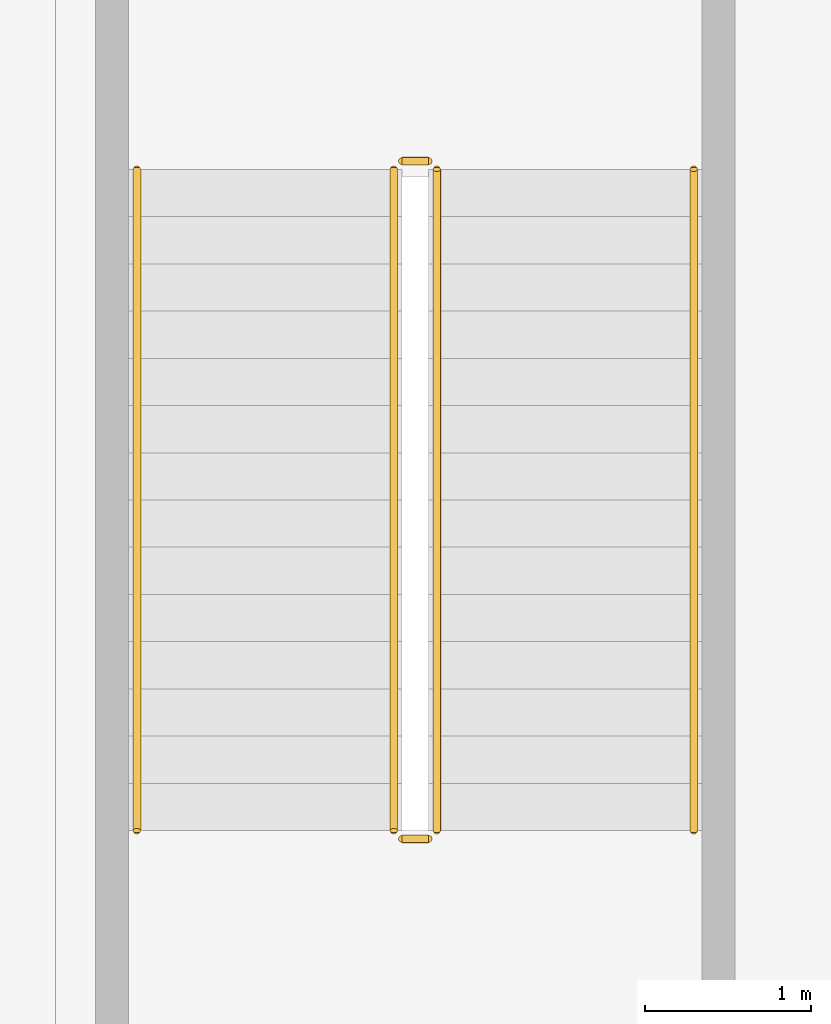
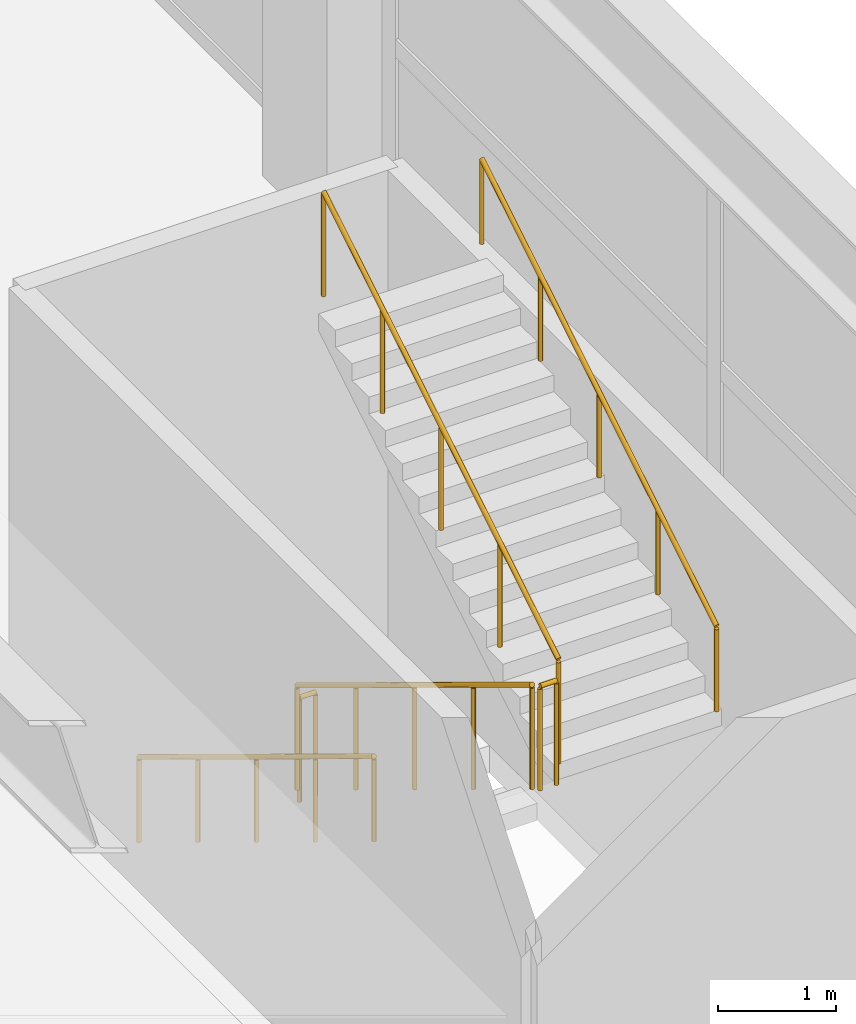
# One storey, part 43 of 43: 6 railings.
"""IFC4 building model written with IfcOpenShell, lengths in metres."""

from ifc_helpers import new_model, si_unit, direction, frame, origin, origin_2d, place, context, subcontext, project, spatial, circle, extrude, material, type_object, element, save


model = new_model("IFC4")

# Units and contexts
model_context = context("Model", 3, precision=1e-05, world=origin(), true_north=direction((0.0, 1.0)))
body_context = subcontext(model_context, "Body", "Model", "MODEL_VIEW")
ifc_project = project(units=[si_unit("LENGTHUNIT", "METRE"), si_unit("AREAUNIT", "SQUARE_METRE"), si_unit("VOLUMEUNIT", "CUBIC_METRE"), si_unit("PLANEANGLEUNIT", "RADIAN"), si_unit("MASSUNIT", "GRAM", prefix="KILO")], contexts=[model_context])

# Site, building, storey
site_placement = place(None, origin())
site = spatial("IfcSite", under=ifc_project, at=site_placement, CompositionType="ELEMENT")
building_placement = place(site_placement, origin())
building = spatial("IfcBuilding", under=site, at=building_placement, Name="Kovane Verandah Tower", CompositionType="ELEMENT")
storey_placement = place(building_placement, frame((0.0, 0.0, 11.199951171875)))
storey = spatial("IfcBuildingStorey", under=building, at=storey_placement, Name="L02", CompositionType="ELEMENT", Elevation=11.199951171875)

# Railings
ifc_material_1 = material(Name="Brushed Stainless Steel Handrail", Category="steel")
railing_type_1 = type_object("IfcRailingType", Name="RL-HAND-920", PredefinedType="HANDRAIL", material=ifc_material_1)
railing_1_placement = place(storey_placement, frame((75.489990234375, 28.820068359375, 0.17333984375)))
element("IfcRailing", 1, at=railing_1_placement, inside=storey, type_object=railing_type_1, Name="L02 ST-05 stair handrail 1", PredefinedType="HANDRAIL", context=body_context, shape_type="SweptSolid", body=[
    extrude(circle(Radius=0.02392578125, at=origin_2d()), frame((0.0, 0.0, 0.8759765625), z_axis=(0.0, -0.854382233033, 0.519645071061), x_axis=(1.0, 0.0, 0.0)), (0.0, 0.0, 1.0), 4.669921875),
    extrude(circle(Radius=0.02099609375, at=origin_2d()), origin(), (0.0, 0.0, 1.0), 0.851806640625),
    extrude(circle(Radius=0.02099609375, at=origin_2d()), frame((0.0, -0.99755859375, 0.606689453125)), (0.0, 0.0, 1.0), 0.851806640625),
    extrude(circle(Radius=0.02099609375, at=origin_2d()), frame((0.0, -1.9951171875, 1.21337890625)), (0.0, 0.0, 1.0), 0.851806640625),
    extrude(circle(Radius=0.02099609375, at=origin_2d()), frame((0.0, -2.992431640625, 1.820068359375)), (0.0, 0.0, 1.0), 0.851806640625),
    extrude(circle(Radius=0.02099609375, at=origin_2d()), frame((0.0, -3.989990234375, 2.4267578125)), (0.0, 0.0, 1.0), 0.851806640625),
])
railing_2_placement = place(storey_placement, frame((78.85009765625, 24.830078125, 2.7734375)))
element("IfcRailing", 2, at=railing_2_placement, inside=storey, type_object=railing_type_1, Name="L02 ST-05 stair handrail 2", PredefinedType="HANDRAIL", context=body_context, shape_type="SweptSolid", body=[
    extrude(circle(Radius=0.02392578125, at=origin_2d()), frame((0.0, 0.0, 0.8759765625), z_axis=(0.0, 0.854405443041, 0.519606908058), x_axis=(-1.0, 0.0, 0.0)), (0.0, 0.0, 1.0), 4.669921875),
    extrude(circle(Radius=0.02099609375, at=origin_2d()), origin(), (0.0, 0.0, 1.0), 0.851806640625),
    extrude(circle(Radius=0.02099609375, at=origin_2d()), frame((0.0, 0.99755859375, 0.606689453125)), (0.0, 0.0, 1.0), 0.851806640625),
    extrude(circle(Radius=0.02099609375, at=origin_2d()), frame((0.0, 1.9951171875, 1.21337890625)), (0.0, 0.0, 1.0), 0.851806640625),
    extrude(circle(Radius=0.02099609375, at=origin_2d()), frame((0.0, 2.992431640625, 1.81982421875)), (0.0, 0.0, 1.0), 0.851806640625),
    extrude(circle(Radius=0.02099609375, at=origin_2d()), frame((0.0, 3.989990234375, 2.426513671875)), (0.0, 0.0, 1.0), 0.851806640625),
])
ifc_material_2 = material(Name="Painted Steel Stairwell Guardrail", Category="steel")
railing_type_2 = type_object("IfcRailingType", Name="RL-STGUARD-1120", PredefinedType="GUARDRAIL", material=ifc_material_2)
railing_3_placement = place(storey_placement, frame((77.0400390625, 28.820068359375, 0.17333984375)))
element("IfcRailing", 3, at=railing_3_placement, inside=storey, type_object=railing_type_2, Name="L02 ST-05 stair guard 1", PredefinedType="GUARDRAIL", context=body_context, shape_type="SweptSolid", body=[
    extrude(circle(Radius=0.02392578125, at=origin_2d()), frame((0.0, 0.0, 1.076171875), z_axis=(0.0, -0.854382233033, 0.519645071061), x_axis=(1.0, 0.0, 0.0)), (0.0, 0.0, 1.0), 4.669921875),
    extrude(circle(Radius=0.02099609375, at=origin_2d()), origin(), (0.0, 0.0, 1.0), 1.052001953125),
    extrude(circle(Radius=0.02099609375, at=origin_2d()), frame((0.0, -0.99755859375, 0.606689453125)), (0.0, 0.0, 1.0), 1.052001953125),
    extrude(circle(Radius=0.02099609375, at=origin_2d()), frame((0.0, -1.9951171875, 1.21337890625)), (0.0, 0.0, 1.0), 1.052001953125),
    extrude(circle(Radius=0.02099609375, at=origin_2d()), frame((0.0, -2.992431640625, 1.820068359375)), (0.0, 0.0, 1.0), 1.052001953125),
    extrude(circle(Radius=0.02099609375, at=origin_2d()), frame((0.0, -3.989990234375, 2.4267578125)), (0.0, 0.0, 1.0), 1.052001953125),
])
railing_4_placement = place(storey_placement, frame((77.090087890625, 24.780029296875, 2.60009765625)))
element("IfcRailing", 4, at=railing_4_placement, inside=storey, type_object=railing_type_2, Name="L02 ST-05 stair guard 2", PredefinedType="GUARDRAIL", context=body_context, shape_type="SweptSolid", body=[
    extrude(circle(Radius=0.02392578125, at=origin_2d()), frame((0.0, 0.0, 1.076171875), z_axis=(1.0, 0.0, 0.0), x_axis=(0.0, 1.0, 0.0)), (0.0, 0.0, 1.0), 0.159912109375),
    extrude(circle(Radius=0.02099609375, at=origin_2d()), origin(), (0.0, 0.0, 1.0), 1.052001953125),
    extrude(circle(Radius=0.02099609375, at=origin_2d()), frame((0.159912109375, 0.0, 0.0)), (0.0, 0.0, 1.0), 1.052001953125),
])
railing_5_placement = place(storey_placement, frame((77.300048828125, 24.830078125, 2.7734375)))
element("IfcRailing", 5, at=railing_5_placement, inside=storey, type_object=railing_type_2, Name="L02 ST-05 stair guard 3", PredefinedType="GUARDRAIL", context=body_context, shape_type="SweptSolid", body=[
    extrude(circle(Radius=0.02392578125, at=origin_2d()), frame((0.0, 0.0, 1.076171875), z_axis=(0.0, 0.854405443041, 0.519606908058), x_axis=(-1.0, 0.0, 0.0)), (0.0, 0.0, 1.0), 4.669921875),
    extrude(circle(Radius=0.02099609375, at=origin_2d()), origin(), (0.0, 0.0, 1.0), 1.052001953125),
    extrude(circle(Radius=0.02099609375, at=origin_2d()), frame((0.0, 0.99755859375, 0.606689453125)), (0.0, 0.0, 1.0), 1.052001953125),
    extrude(circle(Radius=0.02099609375, at=origin_2d()), frame((0.0, 1.9951171875, 1.21337890625)), (0.0, 0.0, 1.0), 1.052001953125),
    extrude(circle(Radius=0.02099609375, at=origin_2d()), frame((0.0, 2.992431640625, 1.81982421875)), (0.0, 0.0, 1.0), 1.052001953125),
    extrude(circle(Radius=0.02099609375, at=origin_2d()), frame((0.0, 3.989990234375, 2.426513671875)), (0.0, 0.0, 1.0), 1.052001953125),
])
railing_6_placement = place(storey_placement, frame((77.090087890625, 28.8701171875, 0.0)))
element("IfcRailing", 6, at=railing_6_placement, inside=storey, type_object=railing_type_2, Name="L02 ST-05 stair guard 4", PredefinedType="GUARDRAIL", context=body_context, shape_type="SweptSolid", body=[
    extrude(circle(Radius=0.02392578125, at=origin_2d()), frame((0.0, 0.0, 1.076171875), z_axis=(1.0, 0.0, 0.0), x_axis=(0.0, 1.0, 0.0)), (0.0, 0.0, 1.0), 0.159912109375),
    extrude(circle(Radius=0.02099609375, at=origin_2d()), origin(), (0.0, 0.0, 1.0), 1.052001953125),
    extrude(circle(Radius=0.02099609375, at=origin_2d()), frame((0.159912109375, 0.0, 0.0)), (0.0, 0.0, 1.0), 1.052001953125),
])

save(model, "model.ifc")
